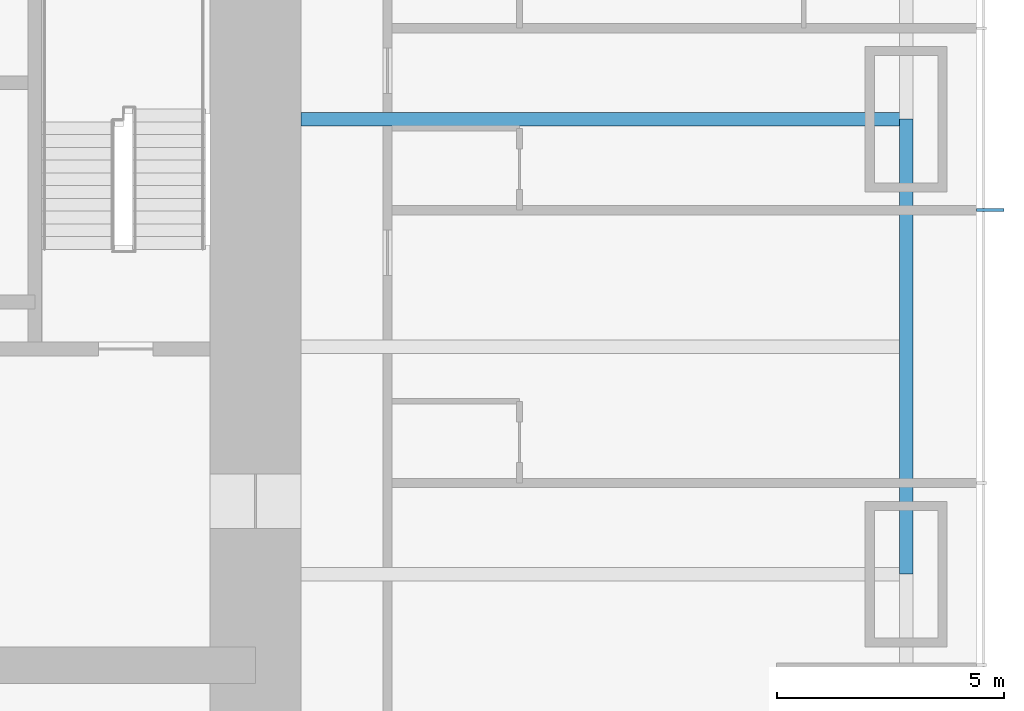
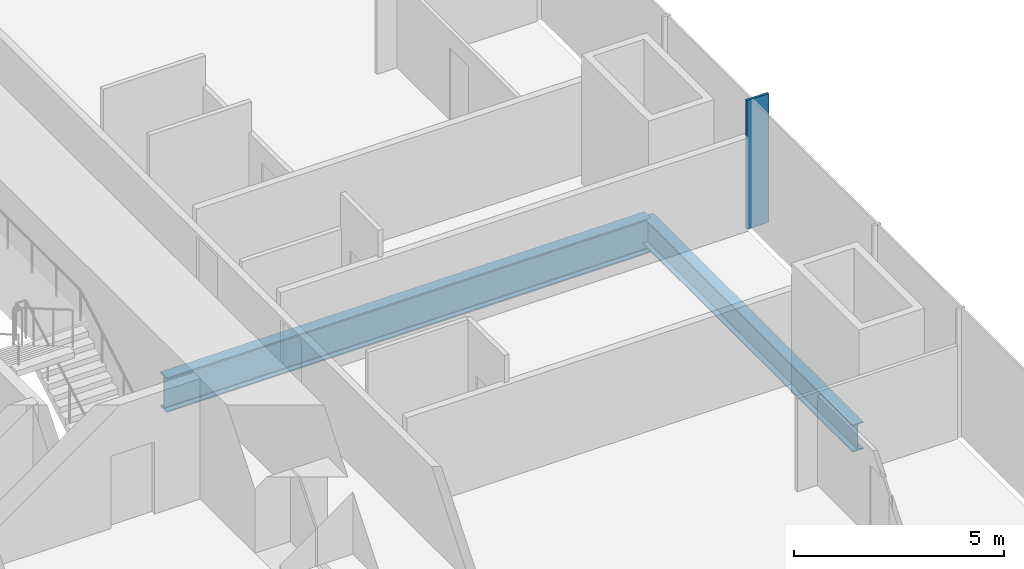
# One storey, part 5 of 16: 2 beams, 1 member, 1 element without a shape of its own.
"""IFC4 building model written with IfcOpenShell, lengths in metres."""

from ifc_helpers import new_model, si_unit, direction, frame, origin, origin_2d, place, context, subcontext, project, spatial, rectangle, i_section, extrude, material, material_profile, profile_set, type_object, element, aggregate, save


model = new_model("IFC4")

# Units and contexts
model_context = context("Model", 3, precision=1e-05, world=origin(), true_north=direction((0.0, 1.0)))
body_context = subcontext(model_context, "Body", "Model", "MODEL_VIEW")
ifc_project = project(units=[si_unit("LENGTHUNIT", "METRE"), si_unit("AREAUNIT", "SQUARE_METRE"), si_unit("VOLUMEUNIT", "CUBIC_METRE"), si_unit("PLANEANGLEUNIT", "RADIAN"), si_unit("MASSUNIT", "GRAM", prefix="KILO")], contexts=[model_context])

# Site, building, storey
site_placement = place(None, origin())
site = spatial("IfcSite", under=ifc_project, at=site_placement, CompositionType="ELEMENT")
building_placement = place(site_placement, origin())
building = spatial("IfcBuilding", under=site, at=building_placement, Name="Khuree Lantern Residences", CompositionType="ELEMENT")
storey_placement = place(building_placement, frame((0.0, 0.0, 54.75)))
storey = spatial("IfcBuildingStorey", under=building, at=storey_placement, Name="L13", CompositionType="ELEMENT", Elevation=54.75)

# Beam
ifc_material_1 = material(Name="Steel S355", Category="steel")
ifc_material_profile_1 = material_profile(ifc_material_1, i_section(OverallWidth=0.300048828125, OverallDepth=0.7900390625, WebThickness=0.014892578125, FlangeThickness=0.028076171875, FilletRadius=0.030029296875, at=origin_2d()), Name="HE 800 A")
ifc_profile_set_1 = profile_set([ifc_material_profile_1], Name="Steel S355")
beam_type_1 = type_object("IfcBeamType", Name="E-13 SPANDREL BEAM HE 800 A", PredefinedType="SPANDREL", material=ifc_profile_set_1)
beam_1_placement = place(storey_placement, frame((29.800048828125, 0.0, -0.64501953125), z_axis=(0.0, -1.0, 0.0), x_axis=(1.0, 0.0, 0.0)))
element("IfcBeam", 1, at=beam_1_placement, inside=storey, type_object=beam_type_1, Name="Spandrel beam E4", PredefinedType="SPANDREL", context=body_context, shape_type="SweptSolid", body=[
    extrude(i_section(OverallWidth=0.300048828125, OverallDepth=0.7900390625, WebThickness=0.014892578125, FlangeThickness=0.028076171875, FilletRadius=0.030029296875, at=origin_2d()), origin(), (0.0, 0.0, 1.0), 10.0),
])

# Curtain wall, member
ifc_material_2 = material(Name="Bronze anodised aluminium", Category="aluminium")
curtain_wall_type = type_object("IfcCurtainWallType", Name="CW-T1 TOWER FACE CURTAIN WALL", PredefinedType="USERDEFINED", material=ifc_material_2)
curtain_wall_placement = place(storey_placement, origin())
curtain_wall = element("IfcCurtainWall", 2, at=curtain_wall_placement, inside=storey, type_object=curtain_wall_type, Name="L13 EAST FACE CURTAIN WALL", ObjectType="Stick-built curtain wall", PredefinedType="USERDEFINED")
ifc_material_profile_2 = material_profile(ifc_material_2, rectangle(XDim=0.06494140625, YDim=0.60009765625, at=origin_2d()), Name="F1 65X600")
ifc_profile_set_2 = profile_set([ifc_material_profile_2], Name="Bronze anodised aluminium")
member_type = type_object("IfcMemberType", Name="F1 BRONZE FIN MULLION TOWER 65X600", PredefinedType="MULLION", material=ifc_profile_set_2)
member_placement = place(storey_placement, frame((31.64990234375, -2.0, 0.0), z_axis=(0.0, 0.0, 1.0), x_axis=(0.0, 1.0, 0.0)))
member = element("IfcMember", 3, at=member_placement, type_object=member_type, Name="L13 EAST FACE FIN MULLION 9", PredefinedType="MULLION", context=body_context, shape_type="SweptSolid", body=[
    extrude(rectangle(XDim=0.06494140625, YDim=0.60009765625, at=origin_2d()), origin(), (0.0, 0.0, 1.0), 3.75),
])
aggregate(curtain_wall, [member])

# Beam
ifc_material_profile_3 = material_profile(ifc_material_1, i_section(OverallWidth=0.302001953125, OverallDepth=1.008056640625, WebThickness=0.02099609375, FlangeThickness=0.0400390625, FilletRadius=0.030029296875, at=origin_2d()), Name="HE 1000 M")
ifc_profile_set_3 = profile_set([ifc_material_profile_3], Name="Steel S355")
beam_type_2 = type_object("IfcBeamType", Name="G-13 GIRDER HE 1000 M", PredefinedType="BEAM", material=ifc_profile_set_3)
beam_2_placement = place(storey_placement, frame((29.800048828125, 0.0, -0.75390625), z_axis=(-1.0, 0.0, 0.0), x_axis=(0.0, -1.0, 0.0)))
element("IfcBeam", 4, at=beam_2_placement, inside=storey, type_object=beam_type_2, Name="Girder E3", PredefinedType="BEAM", context=body_context, shape_type="SweptSolid", body=[
    extrude(i_section(OverallWidth=0.302001953125, OverallDepth=1.008056640625, WebThickness=0.02099609375, FlangeThickness=0.0400390625, FilletRadius=0.030029296875, at=origin_2d()), origin(), (0.0, 0.0, 1.0), 13.300048828125),
])

save(model, "model.ifc")
